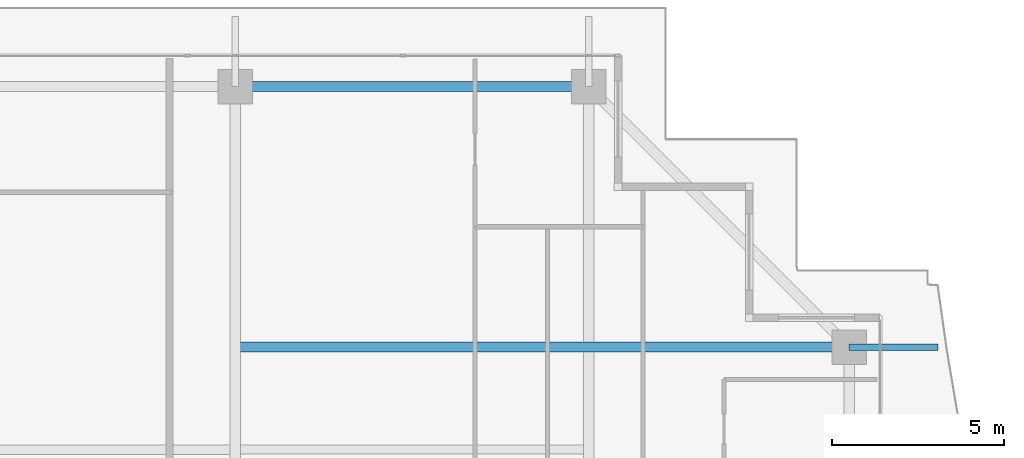
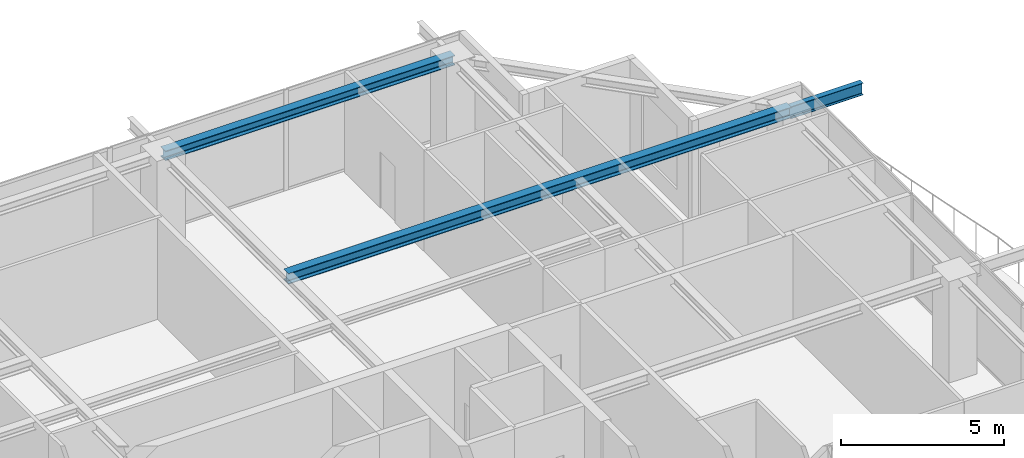
# One storey, part 27 of 42: 3 beams.
"""IFC4 building model written with IfcOpenShell, lengths in metres."""

from ifc_helpers import new_model, si_unit, direction, frame, origin, origin_2d, place, context, subcontext, project, spatial, i_section, extrude, source, transform, mapped, material, material_profile, profile_set, type_object, element, save


model = new_model("IFC4")

# Units and contexts
model_context = context("Model", 3, precision=1e-05, world=origin(), true_north=direction((0.0, 1.0)))
body_context = subcontext(model_context, "Body", "Model", "MODEL_VIEW")
ifc_project = project(units=[si_unit("LENGTHUNIT", "METRE"), si_unit("AREAUNIT", "SQUARE_METRE"), si_unit("VOLUMEUNIT", "CUBIC_METRE"), si_unit("PLANEANGLEUNIT", "RADIAN"), si_unit("MASSUNIT", "GRAM", prefix="KILO")], contexts=[model_context])

# Site, building, storey
site_placement = place(None, origin())
site = spatial("IfcSite", under=ifc_project, at=site_placement, CompositionType="ELEMENT")
building_placement = place(site_placement, origin())
building = spatial("IfcBuilding", under=site, at=building_placement, Name="Serunith Strait Residences", CompositionType="ELEMENT")
storey_placement = place(building_placement, frame((0.0, 0.0, 297.5)))
storey = spatial("IfcBuildingStorey", under=building, at=storey_placement, Name="L74", CompositionType="ELEMENT", Elevation=297.5)

# Beams
ifc_material = material(Name="Steel S355J2", Category="steel")
ifc_material_profile_1 = material_profile(ifc_material, i_section(OverallWidth=0.300048828125, OverallDepth=0.39990234375, WebThickness=0.013427734375, FlangeThickness=0.02392578125, FilletRadius=0.027099609375, at=origin_2d()), Name="HEB 400")
ifc_profile_set_1 = profile_set([ifc_material_profile_1], Name="Steel S355J2")
beam_type_1 = type_object("IfcBeamType", Name="BM-HEB400", PredefinedType="BEAM", material=ifc_profile_set_1)
shared_shape_1 = source(origin(), body_context, "Body", "SweptSolid", [
    extrude(i_section(OverallWidth=0.300048828125, OverallDepth=0.39990234375, WebThickness=0.013427734375, FlangeThickness=0.02392578125, FilletRadius=0.027099609375, at=origin_2d()), origin(), (0.0, 0.0, 1.0), 17.800048828125),
])
beam_1_placement = place(storey_placement, frame((36.89990234375, 39.550048828125, 3.5869140625), z_axis=(1.0, 0.0, 0.0), x_axis=(0.0, 1.0, 0.0)))
element("IfcBeam", 1, at=beam_1_placement, inside=storey, type_object=beam_type_1, Name="L74 Orthogonal Corner Girder TC-E4", PredefinedType="BEAM", context=body_context, shape_type="MappedRepresentation", body=[
    mapped(shared_shape_1, transform((0.0, 0.0, 0.0), scale=1.0)),
])
ifc_material_profile_2 = material_profile(ifc_material, i_section(OverallWidth=0.300048828125, OverallDepth=0.360107421875, WebThickness=0.012451171875, FlangeThickness=0.0224609375, FilletRadius=0.027099609375, at=origin_2d()), Name="HEB 360")
ifc_profile_set_2 = profile_set([ifc_material_profile_2], Name="Steel S355J2")
beam_type_2 = type_object("IfcBeamType", Name="BM-HEB360", PredefinedType="BEAM", material=ifc_profile_set_2)
shared_shape_2 = source(origin(), body_context, "Body", "SweptSolid", [
    extrude(i_section(OverallWidth=0.300048828125, OverallDepth=0.360107421875, WebThickness=0.012451171875, FlangeThickness=0.0224609375, FilletRadius=0.027099609375, at=origin_2d()), origin(), (0.0, 0.0, 1.0), 10.25),
])
beam_2_placement = place(storey_placement, frame((47.14990234375, 47.10009765625, 3.60693359375), z_axis=(-1.0, 0.0, 0.0), x_axis=(0.0, -1.0, 0.0)))
element("IfcBeam", 2, at=beam_2_placement, inside=storey, type_object=beam_type_2, Name="L74 Perimeter Ring Beam 09", PredefinedType="BEAM", context=body_context, shape_type="MappedRepresentation", body=[
    mapped(shared_shape_2, transform((0.0, 0.0, 0.0), scale=1.0)),
])
ifc_material_profile_3 = material_profile(ifc_material, i_section(OverallWidth=0.18994140625, OverallDepth=0.449951171875, WebThickness=0.009521484375, FlangeThickness=0.0146484375, FilletRadius=0.02099609375, at=origin_2d()), Name="IPE 450")
ifc_profile_set_3 = profile_set([ifc_material_profile_3], Name="Steel S355J2")
beam_type_3 = type_object("IfcBeamType", Name="BM-IPE450", PredefinedType="JOIST", material=ifc_profile_set_3)
shared_shape_3 = source(origin(), body_context, "Body", "SweptSolid", [
    extrude(i_section(OverallWidth=0.18994140625, OverallDepth=0.449951171875, WebThickness=0.009521484375, FlangeThickness=0.0146484375, FilletRadius=0.02099609375, at=origin_2d()), origin(), (0.0, 0.0, 1.0), 2.5732421875),
])
beam_3_placement = place(storey_placement, frame((54.699951171875, 39.550048828125, 3.531982421875), z_axis=(1.0, 0.0, 0.0), x_axis=(0.0, 1.0, 0.0)))
element("IfcBeam", 3, at=beam_3_placement, inside=storey, type_object=beam_type_3, Name="L75 Cantilevered Balcony Rib TC-E4", PredefinedType="JOIST", context=body_context, shape_type="MappedRepresentation", body=[
    mapped(shared_shape_3, transform((0.0, 0.0, 0.0), scale=1.0)),
])

save(model, "model.ifc")
